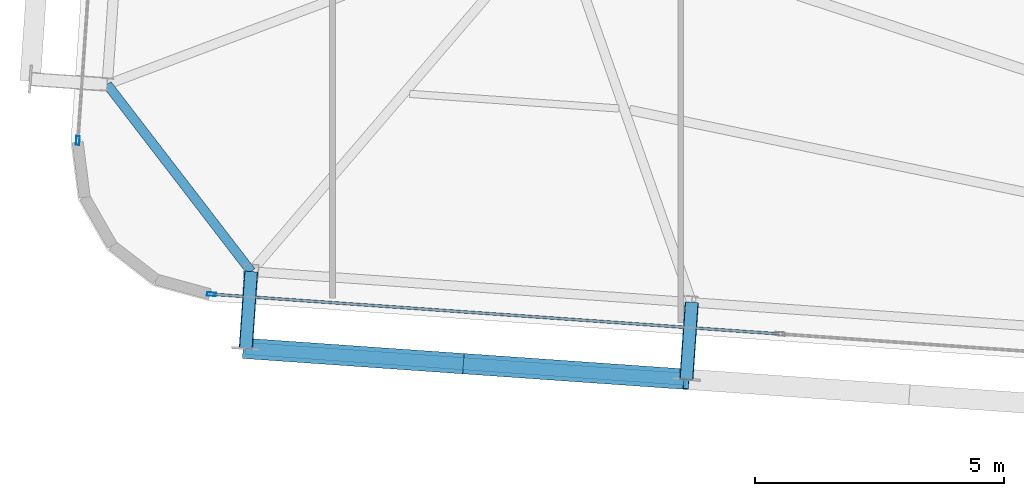
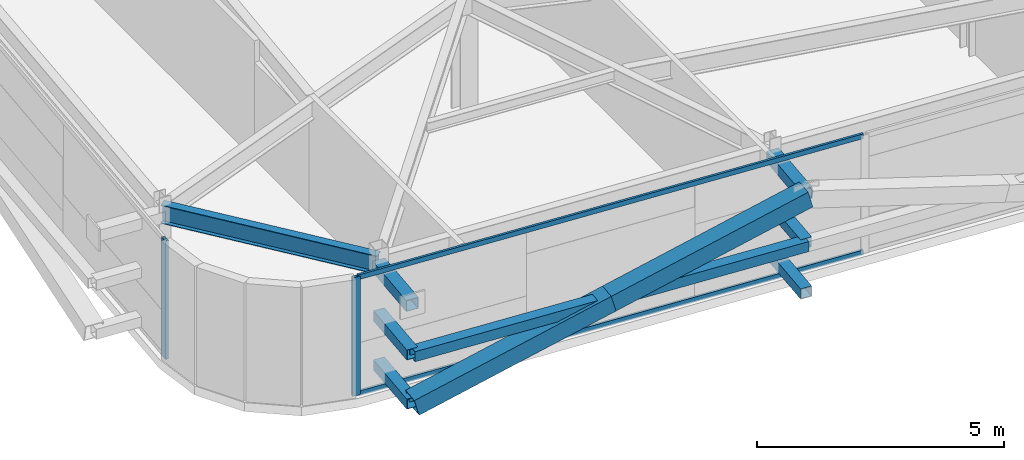
# One storey, part 6 of 39: 13 members, 1 beam, 2 elements without a shape of their own.
"""IFC4 building model written with IfcOpenShell, lengths in metres."""

from ifc_helpers import new_model, si_unit, direction, frame, origin, origin_2d, place, context, subcontext, project, spatial, hollow_rectangle, i_section, extrude, source, transform, mapped, material, layer, layer_set, material_profile, profile_set, type_object, element, aggregate, save


model = new_model("IFC4")

# Units and contexts
model_context = context("Model", 3, precision=1e-05, world=origin(), true_north=direction((0.0, 1.0)))
body_context = subcontext(model_context, "Body", "Model", "MODEL_VIEW")
ifc_project = project(units=[si_unit("LENGTHUNIT", "METRE"), si_unit("AREAUNIT", "SQUARE_METRE"), si_unit("VOLUMEUNIT", "CUBIC_METRE"), si_unit("PLANEANGLEUNIT", "RADIAN"), si_unit("MASSUNIT", "GRAM", prefix="KILO")], contexts=[model_context])

# Site, building, storey
site_placement = place(None, origin())
site = spatial("IfcSite", under=ifc_project, at=site_placement, CompositionType="ELEMENT")
building_placement = place(site_placement, origin())
building = spatial("IfcBuilding", under=site, at=building_placement, Name="Taldren Reach Tower", CompositionType="ELEMENT")
storey_placement = place(building_placement, frame((0.0, 0.0, 151.89990234375)))
storey = spatial("IfcBuildingStorey", under=building, at=storey_placement, Name="L46", CompositionType="ELEMENT", Elevation=151.89990234375)

# Members
ifc_material_1 = material(Name="Steel Gr 450 (C450L0)", Category="steel")
ifc_material_profile_1 = material_profile(ifc_material_1, hollow_rectangle(XDim=0.27490234375, YDim=0.27490234375, WallThickness=0.00927734375, at=origin_2d()), Name="275x275x9.3SHS")
ifc_profile_set_1 = profile_set([ifc_material_profile_1], Name="Steel Gr 450 (C450L0)")
member_type_1 = type_object("IfcMemberType", Name="MB-TIE273", PredefinedType="STRUT", material=ifc_profile_set_1)
shared_shape_1 = source(origin(), body_context, "Body", "SweptSolid", [
    extrude(hollow_rectangle(XDim=0.27490234375, YDim=0.27490234375, WallThickness=0.00927734375, at=origin_2d()), origin(), (0.0, 0.0, 1.0), 1.5498046875),
])
for number, where, z_axis, x_axis, name in (
    (1, (11.863525390625, 5.33837890625, 2.650146484375), (-0.069780535098, -0.997562367434, 0.0), (0.997562367434, -0.069780535098, 0.0), "Exoskeleton diaphragm tie strut B3-S1 L46"),
    (2, (20.721923828125, 4.718994140625, 2.650146484375), (-0.069780535098, -0.997562367434, 0.0), (0.997562367434, -0.069780535098, 0.0), "Exoskeleton diaphragm tie strut B3-S2 L46"),
):
    element("IfcMember", number, at=place(storey_placement, frame(where, z_axis=z_axis, x_axis=x_axis)), inside=storey, type_object=member_type_1, Name=name, PredefinedType="STRUT", context=body_context, shape_type="MappedRepresentation", body=[
        mapped(shared_shape_1, transform((0.0, 0.0, 0.0), scale=1.0)),
    ])
ifc_material_2 = material(Name="Steel Gr 350 (C350L0)", Category="steel")
ifc_material_profile_2 = material_profile(ifc_material_2, hollow_rectangle(XDim=0.25, YDim=0.25, WallThickness=0.010009765625, at=origin_2d()), Name="250x250x10.0SHS")
ifc_profile_set_2 = profile_set([ifc_material_profile_2], Name="Steel Gr 350 (C350L0)")
member_type_2 = type_object("IfcMemberType", Name="MB-POST250", PredefinedType="POST", material=ifc_profile_set_2)
shared_shape_2 = source(origin(), body_context, "Body", "SweptSolid", [
    extrude(hollow_rectangle(XDim=0.25, YDim=0.25, WallThickness=0.010009765625, at=origin_2d()), origin(), (0.0, 0.0, 1.0), 1.5498046875),
])
for number, where, z_axis, x_axis, name in (
    (3, (11.863525390625, 5.33837890625, 0.22021484375), (-0.069780535098, -0.997562367434, 0.0), (0.997562367434, -0.069780535098, 0.0), "Exoskeleton base diaphragm tie strut B3-S1 L46"),
    (4, (20.721923828125, 4.718994140625, 0.22021484375), (-0.069780535098, -0.997562367434, 0.0), (0.997562367434, -0.069780535098, 0.0), "Exoskeleton base diaphragm tie strut B3-S2 L46"),
    (5, (11.863525390625, 5.33837890625, 1.43505859375), (-0.069780535098, -0.997562367434, 0.0), (0.997562367434, -0.069780535098, 0.0), "Exoskeleton mid-tier diaphragm tie B3-S1 L46"),
    (6, (20.721923828125, 4.718994140625, 1.43505859375), (-0.069780535098, -0.997562367434, 0.0), (0.997562367434, -0.069780535098, 0.0), "Exoskeleton mid-tier diaphragm tie B3-S2 L46"),
):
    element("IfcMember", number, at=place(storey_placement, frame(where, z_axis=z_axis, x_axis=x_axis)), inside=storey, type_object=member_type_2, Name=name, PredefinedType="POST", context=body_context, shape_type="MappedRepresentation", body=[
        mapped(shared_shape_2, transform((0.0, 0.0, 0.0), scale=1.0)),
    ])

# Beam
ifc_material_3 = material(Name="Steel Gr 350 (350PLUS)", Category="steel")
ifc_material_profile_3 = material_profile(ifc_material_3, i_section(OverallWidth=0.18994140625, OverallDepth=0.4541015625, WebThickness=0.008544921875, FlangeThickness=0.0126953125, at=origin_2d()), Name="460UB67.1")
ifc_profile_set_3 = profile_set([ifc_material_profile_3], Name="Steel Gr 350 (350PLUS)")
beam_type = type_object("IfcBeamType", Name="SP-UB460B", PredefinedType="SPANDREL", material=ifc_profile_set_3)
shared_shape_3 = source(origin(), body_context, "Body", "SweptSolid", [
    extrude(i_section(OverallWidth=0.18994140625, OverallDepth=0.4541015625, WebThickness=0.008544921875, FlangeThickness=0.0126953125, at=origin_2d()), origin(), (0.0, 0.0, 1.0), 4.746337890625),
])
beam_placement = place(storey_placement, frame((8.96875, 9.099609375, 2.703125), z_axis=(0.609912099004, -0.792469072891, 0.0), x_axis=(0.792469072891, 0.609912099004, 0.0)))
element("IfcBeam", 7, at=beam_placement, inside=storey, type_object=beam_type, Name="Perimeter spandrel B3 W1-S1 L46", PredefinedType="SPANDREL", context=body_context, shape_type="MappedRepresentation", body=[
    mapped(shared_shape_3, transform((0.0, 0.0, 0.0), scale=1.0)),
])

# Members
shared_shape_4 = source(origin(), body_context, "Body", "SweptSolid", [
    extrude(hollow_rectangle(XDim=0.25, YDim=0.25, WallThickness=0.010009765625, at=origin_2d()), origin(), (0.0, 0.0, 1.0), 8.880126953125),
])
member_1_placement = place(storey_placement, frame((11.75537109375, 3.792236328125, 1.43505859375), z_axis=(0.997564479639, -0.069750333063, 0.0), x_axis=(0.069750333063, 0.997564479639, 0.0)))
element("IfcMember", 8, at=member_1_placement, inside=storey, type_object=member_type_2, Name="Exoskeleton mid-height ring chord B3-S1 L46", PredefinedType="POST", context=body_context, shape_type="MappedRepresentation", body=[
    mapped(shared_shape_4, transform((0.0, 0.0, 0.0), scale=1.0)),
])
ifc_material_profile_4 = material_profile(ifc_material_1, hollow_rectangle(XDim=0.409912109375, YDim=0.409912109375, WallThickness=0.01611328125, at=origin_2d()), Name="410x410x16.0SHS")
ifc_profile_set_4 = profile_set([ifc_material_profile_4], Name="Steel Gr 450 (C450L0)")
member_type_3 = type_object("IfcMemberType", Name="MB-EXO406", PredefinedType="BRACE", material=ifc_profile_set_4)
shared_shape_5 = source(origin(), body_context, "Body", "SweptSolid", [
    extrude(hollow_rectangle(XDim=0.409912109375, YDim=0.409912109375, WallThickness=0.01611328125, at=origin_2d()), origin(), (0.0, 0.0, 1.0), 4.603271484375),
])
for number, where, z_axis, x_axis, name in (
    (9, (11.75537109375, 3.792236328125, 0.22021484375), (0.962195820062, -0.067303852699, 0.263911718699), (0.06977769246, 0.997562566276, 0.0), "Exoskeleton Diagrid Brace B3-S1 L46"),
    (10, (16.1845703125, 3.482421875, 1.43505859375), (0.962185784239, -0.067250114343, 0.263962002434), (0.069722973508, 0.997566392259, 0.0), "Exoskeleton Diagrid Brace B3-S1 L46"),
):
    element("IfcMember", number, at=place(storey_placement, frame(where, z_axis=z_axis, x_axis=x_axis)), inside=storey, type_object=member_type_3, Name=name, PredefinedType="BRACE", context=body_context, shape_type="MappedRepresentation", body=[
        mapped(shared_shape_5, transform((0.0, 0.0, 0.0), scale=1.0)),
    ])

# Curtain wall, member
ifc_material_4 = material(Name="Aluminium and Low-E Glass Unitised System", Category="aluminium")
ifc_layer = layer(ifc_material_4, 0.159912109375)
ifc_layer_set = layer_set([ifc_layer], Name="Aluminium and Low-E Glass Unitised System")
curtain_wall_type = type_object("IfcCurtainWallType", Name="CW-SYS-4", PredefinedType="NOTDEFINED", material=ifc_layer_set)
curtain_wall_1_placement = place(storey_placement, origin())
curtain_wall_1 = element("IfcCurtainWall", 11, at=curtain_wall_1_placement, inside=storey, type_object=curtain_wall_type, Name="Unitised curtain wall CW-L46-S", PredefinedType="NOTDEFINED")
ifc_material_5 = material(Name="Anodised Aluminium 6063-T6", Category="aluminium")
ifc_material_profile_5 = material_profile(ifc_material_5, hollow_rectangle(XDim=0.070068359375, YDim=0.179931640625, WallThickness=0.00390625, at=origin_2d()), Name="ALU-180x70x4RHS")
ifc_profile_set_5 = profile_set([ifc_material_profile_5], Name="Anodised Aluminium 6063-T6")
member_type_4 = type_object("IfcMemberType", Name="CW-MUL-180", PredefinedType="MULLION", material=ifc_profile_set_5)
shared_shape_6 = source(origin(), body_context, "Body", "SweptSolid", [
    extrude(hollow_rectangle(XDim=0.070068359375, YDim=0.179931640625, WallThickness=0.00390625, at=origin_2d()), origin(), (0.0, 0.0, 1.0), 2.93017578125),
])
member_2_placement = place(storey_placement, frame((11.06494140625, 4.883056640625, 0.0), z_axis=(0.0, 0.0, 1.0), x_axis=(0.06975651593, 0.99756404731, 0.0)))
member_2 = element("IfcMember", 12, at=member_2_placement, type_object=member_type_4, Name="CW-4 mullion 1", PredefinedType="MULLION", context=body_context, shape_type="MappedRepresentation", body=[
    mapped(shared_shape_6, transform((0.0, 0.0, 0.0), scale=1.0)),
])

curtain_wall_2_placement = place(storey_placement, origin())
curtain_wall_2 = element("IfcCurtainWall", 13, at=curtain_wall_2_placement, inside=storey, type_object=curtain_wall_type, Name="Unitised curtain wall CW-L46-W", PredefinedType="NOTDEFINED")
member_3_placement = place(storey_placement, frame((8.37890625, 7.972900390625, 0.0), z_axis=(0.0, 0.0, 1.0), x_axis=(0.997564052812, -0.069756437251, 0.0)))
member_3 = element("IfcMember", 14, at=member_3_placement, type_object=member_type_4, Name="CW-4 mullion 3", PredefinedType="MULLION", context=body_context, shape_type="MappedRepresentation", body=[
    mapped(shared_shape_6, transform((0.0, 0.0, 0.0), scale=1.0)),
])
aggregate(curtain_wall_2, [member_3])

# Member
ifc_material_profile_6 = material_profile(ifc_material_5, hollow_rectangle(XDim=0.054931640625, YDim=0.1201171875, WallThickness=0.0029296875, at=origin_2d()), Name="ALU-120x55x3RHS")
ifc_profile_set_6 = profile_set([ifc_material_profile_6], Name="Anodised Aluminium 6063-T6")
member_type_5 = type_object("IfcMemberType", Name="CW-TRN-135", PredefinedType="USERDEFINED", material=ifc_profile_set_6)
shared_shape_7 = source(origin(), body_context, "Body", "SweptSolid", [
    extrude(hollow_rectangle(XDim=0.054931640625, YDim=0.1201171875, WallThickness=0.0029296875, at=origin_2d()), origin(), (0.0, 0.0, 1.0), 11.39501953125),
])
member_4_placement = place(storey_placement, frame((11.099853515625, 4.880615234375, 0.027587890625), z_axis=(0.997563740682, -0.069760900766, 0.0), x_axis=(0.069760900766, 0.997563740682, 0.0)))
member_4 = element("IfcMember", 15, at=member_4_placement, type_object=member_type_5, Name="CW-4 transom 1.1", ObjectType="TRANSOM", PredefinedType="USERDEFINED", context=body_context, shape_type="MappedRepresentation", body=[
    mapped(shared_shape_7, transform((0.0, 0.0, 0.0), scale=1.0)),
])

member_5_placement = place(storey_placement, frame((11.099853515625, 4.880615234375, 2.902587890625), z_axis=(0.997563740682, -0.069760900766, 0.0), x_axis=(0.069760900766, 0.997563740682, 0.0)))
member_5 = element("IfcMember", 16, at=member_5_placement, type_object=member_type_5, Name="CW-4 transom 1.2", ObjectType="TRANSOM", PredefinedType="USERDEFINED", context=body_context, shape_type="MappedRepresentation", body=[
    mapped(shared_shape_7, transform((0.0, 0.0, 0.0), scale=1.0)),
])

aggregate(curtain_wall_1, [member_2, member_4, member_5])

save(model, "model.ifc")
